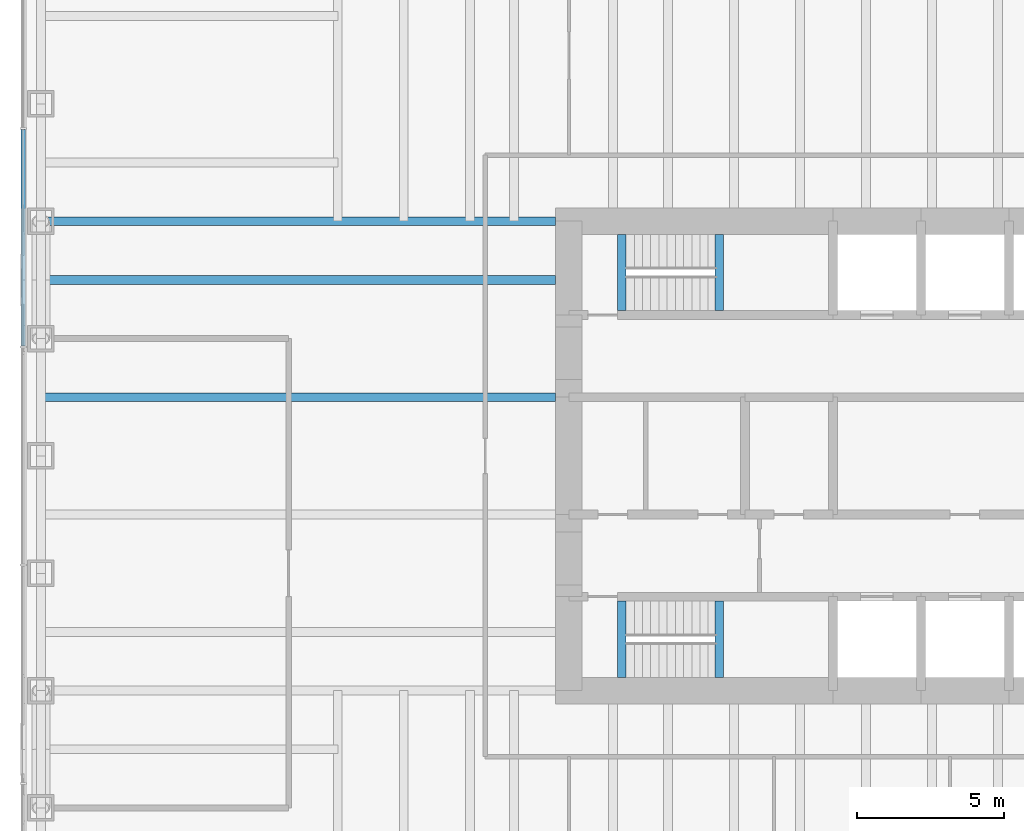
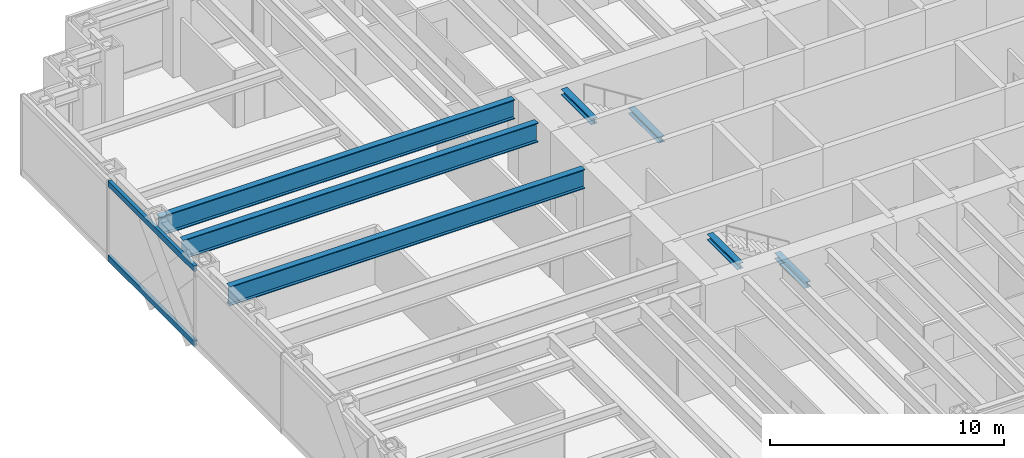
# One storey, part 3 of 19: 7 beams, 2 members, 1 element without a shape of its own.
"""IFC4 building model written with IfcOpenShell, lengths in metres."""

from ifc_helpers import new_model, si_unit, direction, frame, origin, origin_2d, place, context, subcontext, project, spatial, rectangle, i_section, extrude, material, material_profile, profile_set, type_object, element, aggregate, save


model = new_model("IFC4")

# Units and contexts
model_context = context("Model", 3, precision=1e-05, world=origin(), true_north=direction((0.0, 1.0)))
body_context = subcontext(model_context, "Body", "Model", "MODEL_VIEW")
ifc_project = project(units=[si_unit("LENGTHUNIT", "METRE"), si_unit("AREAUNIT", "SQUARE_METRE"), si_unit("VOLUMEUNIT", "CUBIC_METRE"), si_unit("PLANEANGLEUNIT", "RADIAN"), si_unit("MASSUNIT", "GRAM", prefix="KILO")], contexts=[model_context])

# Site, building, storey
site_placement = place(None, origin())
site = spatial("IfcSite", under=ifc_project, at=site_placement, CompositionType="ELEMENT")
building_placement = place(site_placement, origin())
building = spatial("IfcBuilding", under=site, at=building_placement, Name="Rheinbord Bourse Tower", CompositionType="ELEMENT")
storey_placement = place(building_placement, frame((0.0, 0.0, 167.699951171875)))
storey = spatial("IfcBuildingStorey", under=building, at=storey_placement, Name="L37", CompositionType="ELEMENT", Elevation=167.699951171875)

# Curtain wall, members
ifc_material_1 = material(Name="Dark glass and black aluminium", Category="aluminium")
curtain_wall_type = type_object("IfcCurtainWallType", Name="CW2 DARK GLASS CURTAIN WALL", PredefinedType="USERDEFINED", material=ifc_material_1)
curtain_wall_placement = place(storey_placement, origin())
curtain_wall = element("IfcCurtainWall", 1, at=curtain_wall_placement, inside=storey, type_object=curtain_wall_type, Name="Curtain wall CW2 W L37", ObjectType="UNITISED CURTAIN WALL", PredefinedType="USERDEFINED")
ifc_material_2 = material(Name="Black anodised aluminium", Category="aluminium")
ifc_material_profile_1 = material_profile(ifc_material_2, rectangle(XDim=0.159912109375, YDim=0.300048828125, at=origin_2d()), Name="CW2 TRANSOM 300x160")
ifc_profile_set_1 = profile_set([ifc_material_profile_1], Name="Black anodised aluminium")
member_type = type_object("IfcMemberType", Name="CW2 BLACK TRANSOM", PredefinedType="USERDEFINED", material=ifc_profile_set_1)
member_1_placement = place(storey_placement, frame((-0.60009765625, 35.125, 0.150146484375), z_axis=(0.0, -1.0, 0.0), x_axis=(1.0, 0.0, 0.0)))
member_1 = element("IfcMember", 2, at=member_1_placement, type_object=member_type, Name="CW2 transom 2.1", ObjectType="TRANSOM", PredefinedType="USERDEFINED", context=body_context, shape_type="SweptSolid", body=[
    extrude(rectangle(XDim=0.159912109375, YDim=0.300048828125, at=origin_2d()), origin(), (0.0, 0.0, 1.0), 7.3701171875),
])
member_2_placement = place(storey_placement, frame((-0.60009765625, 35.125, 4.050048828125), z_axis=(0.0, -1.0, 0.0), x_axis=(1.0, 0.0, 0.0)))
member_2 = element("IfcMember", 3, at=member_2_placement, type_object=member_type, Name="CW2 transom 2.2", ObjectType="TRANSOM", PredefinedType="USERDEFINED", context=body_context, shape_type="SweptSolid", body=[
    extrude(rectangle(XDim=0.159912109375, YDim=0.300048828125, at=origin_2d()), origin(), (0.0, 0.0, 1.0), 7.3701171875),
])
aggregate(curtain_wall, [member_1, member_2])

# Beams
ifc_material_3 = material(Name="Steel S460", Category="steel")
ifc_material_profile_2 = material_profile(ifc_material_3, i_section(OverallWidth=0.302001953125, OverallDepth=1.008056640625, WebThickness=0.02099609375, FlangeThickness=0.0400390625, at=origin_2d()), Name="HEM 1000")
ifc_profile_set_2 = profile_set([ifc_material_profile_2], Name="Steel S460")
beam_type_1 = type_object("IfcBeamType", Name="END BEAM HEM 1000", PredefinedType="BEAM", material=ifc_profile_set_2)
for number, where, z_axis, x_axis, name in (
    (4, (0.0, 26.0, 3.5361328125), (1.0, 0.0, 0.0), (0.0, 1.0, 0.0), "End beam west 26 L38"),
    (5, (0.0, 30.0, 3.5361328125), (1.0, 0.0, 0.0), (0.0, 1.0, 0.0), "End beam west 30 L38"),
):
    element("IfcBeam", number, at=place(storey_placement, frame(where, z_axis=z_axis, x_axis=x_axis)), inside=storey, type_object=beam_type_1, Name=name, PredefinedType="BEAM", context=body_context, shape_type="SweptSolid", body=[
        extrude(i_section(OverallWidth=0.302001953125, OverallDepth=1.008056640625, WebThickness=0.02099609375, FlangeThickness=0.0400390625, at=origin_2d()), origin(), (0.0, 0.0, 1.0), 17.550048828125),
    ])
ifc_material_4 = material(Name="Steel S460", Category="steel")
ifc_material_profile_3 = material_profile(ifc_material_4, i_section(OverallWidth=0.302001953125, OverallDepth=1.008056640625, WebThickness=0.02099609375, FlangeThickness=0.0400390625, at=origin_2d()), Name="HEM 1000")
ifc_profile_set_3 = profile_set([ifc_material_profile_3], Name="Steel S460")
beam_type_2 = type_object("IfcBeamType", Name="GIRDER HEM 1000", PredefinedType="BEAM", material=ifc_profile_set_3)
beam_placement = place(storey_placement, frame((0.0, 32.0, 3.5361328125), z_axis=(1.0, 0.0, 0.0), x_axis=(0.0, 1.0, 0.0)))
element("IfcBeam", 6, at=beam_placement, inside=storey, type_object=beam_type_2, Name="Girder west 32 L38", PredefinedType="BEAM", context=body_context, shape_type="SweptSolid", body=[
    extrude(i_section(OverallWidth=0.302001953125, OverallDepth=1.008056640625, WebThickness=0.02099609375, FlangeThickness=0.0400390625, at=origin_2d()), origin(), (0.0, 0.0, 1.0), 17.550048828125),
])
ifc_material_5 = material(Name="Steel S460", Category="steel")
ifc_material_profile_4 = material_profile(ifc_material_5, i_section(OverallWidth=0.300048828125, OverallDepth=0.300048828125, WebThickness=0.010986328125, FlangeThickness=0.01904296875, at=origin_2d()), Name="HEB 300")
ifc_profile_set_4 = profile_set([ifc_material_profile_4], Name="Steel S460")
beam_type_3 = type_object("IfcBeamType", Name="LANDING TRIMMER HEB 300", PredefinedType="BEAM", material=ifc_profile_set_4)
for number, where, z_axis, x_axis, name in (
    (7, (23.1298828125, 16.449951171875, 1.75), (0.0, 1.0, 0.0), (-1.0, 0.0, 0.0), "Landing trimmer ST1 L37"),
    (8, (19.800048828125, 16.449951171875, 3.89013671875), (0.0, 1.0, 0.0), (-1.0, 0.0, 0.0), "Well trimmer ST1 under L38"),
    (9, (23.1298828125, 28.949951171875, 1.75), (0.0, 1.0, 0.0), (-1.0, 0.0, 0.0), "Landing trimmer ST2 L37"),
    (10, (19.800048828125, 28.949951171875, 3.89013671875), (0.0, 1.0, 0.0), (-1.0, 0.0, 0.0), "Well trimmer ST2 under L38"),
):
    element("IfcBeam", number, at=place(storey_placement, frame(where, z_axis=z_axis, x_axis=x_axis)), inside=storey, type_object=beam_type_3, Name=name, PredefinedType="BEAM", context=body_context, shape_type="SweptSolid", body=[
        extrude(i_section(OverallWidth=0.300048828125, OverallDepth=0.300048828125, WebThickness=0.010986328125, FlangeThickness=0.01904296875, at=origin_2d()), origin(), (0.0, 0.0, 1.0), 2.60009765625),
    ])

save(model, "model.ifc")
